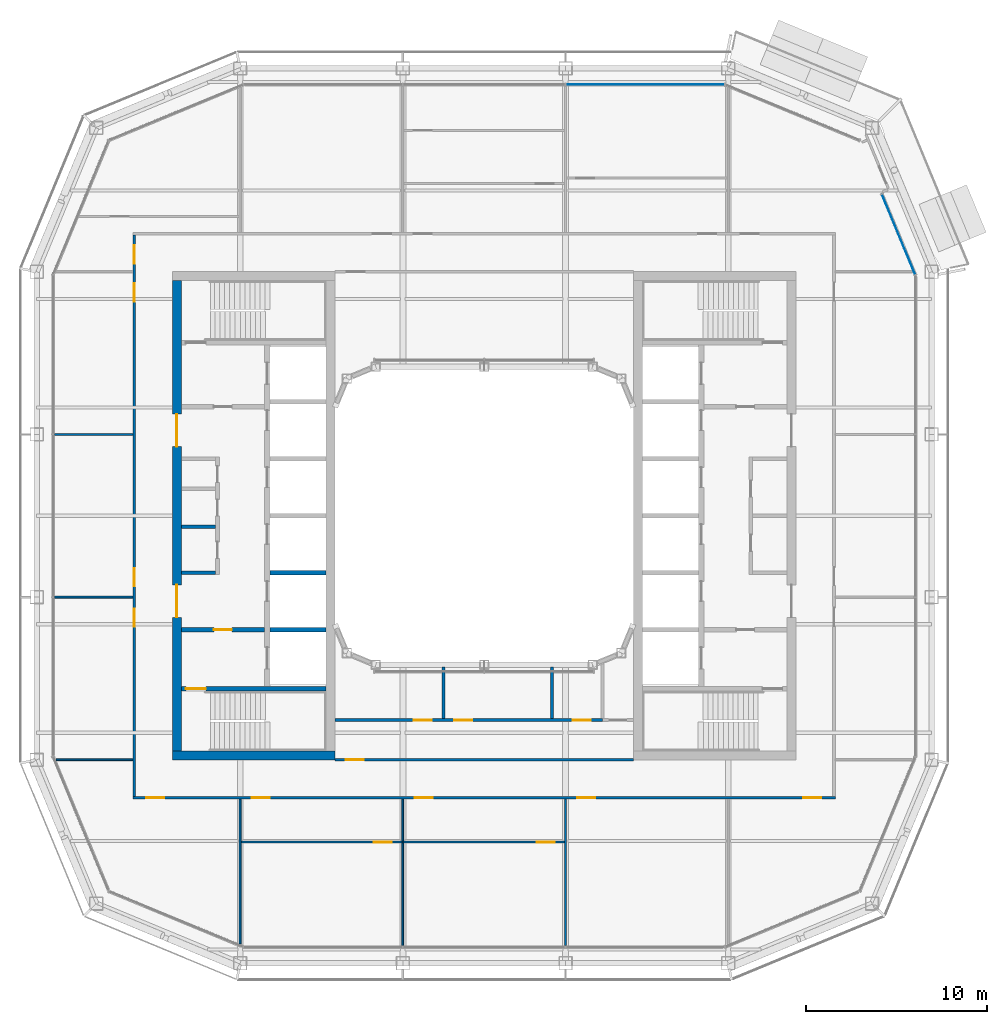
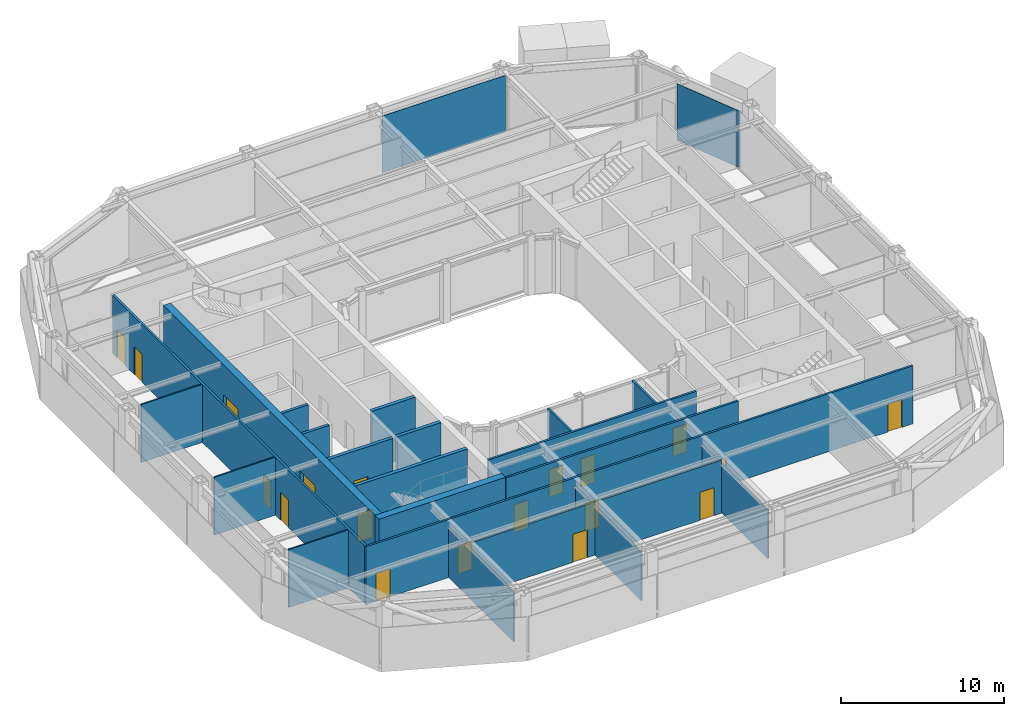
# One storey, part 10 of 20: 22 walls, 19 doors, 2 plates, 19 openings, 2 elements without a shape of their own.
"""IFC4 building model written with IfcOpenShell, lengths in metres."""

from ifc_helpers import new_model, si_unit, direction, frame, frame_2d, origin, origin_2d, place, context, subcontext, project, spatial, rectangle, extrude, material, layer, layer_set, type_object, element, fill, aggregate, save


model = new_model("IFC4")

# Units and contexts
model_context = context("Model", 3, precision=1e-05, world=origin(), true_north=direction((0.0, 1.0)))
body_context = subcontext(model_context, "Body", "Model", "MODEL_VIEW")
ifc_project = project(units=[si_unit("LENGTHUNIT", "METRE"), si_unit("AREAUNIT", "SQUARE_METRE"), si_unit("VOLUMEUNIT", "CUBIC_METRE"), si_unit("PLANEANGLEUNIT", "RADIAN"), si_unit("MASSUNIT", "GRAM", prefix="KILO")], contexts=[model_context])

# Site, building, storey
site_placement = place(None, origin())
site = spatial("IfcSite", under=ifc_project, at=site_placement, CompositionType="ELEMENT")
building_placement = place(site_placement, origin())
building = spatial("IfcBuilding", under=site, at=building_placement, Name="Siwar Civic Tower", CompositionType="ELEMENT")
storey_placement = place(building_placement, frame((0.0, 0.0, 307.699951171875)))
storey = spatial("IfcBuildingStorey", under=building, at=storey_placement, Name="L66", CompositionType="ELEMENT", Elevation=307.699951171875)

# Curtain wall, plate
ifc_material_1 = material(Name="Aluminium and glass", Category="aluminium")
ifc_layer_1 = layer(ifc_material_1, 0.159912109375)
ifc_layer_set_1 = layer_set([ifc_layer_1], Name="Aluminium and glass")
curtain_wall_type_1 = type_object("IfcCurtainWallType", Name="ENV-CW-D", PredefinedType="NOTDEFINED", material=ifc_layer_set_1)
curtain_wall_1_placement = place(storey_placement, origin())
curtain_wall_1 = element("IfcCurtainWall", 1, at=curtain_wall_1_placement, inside=storey, type_object=curtain_wall_type_1, Name="Curtain wall D N", PredefinedType="NOTDEFINED")
ifc_material_2 = material(Name="Glass clear laminated", Category="glass")
ifc_layer_2 = layer(ifc_material_2, 0.030029296875)
ifc_layer_set_2 = layer_set([ifc_layer_2], Name="Glass clear laminated")
plate_type_1 = type_object("IfcPlateType", Name="ENV-PANEL-D", PredefinedType="CURTAIN_PANEL", material=ifc_layer_set_2)
plate_1_placement = place(storey_placement, frame((8.910400390625, 23.85009765625, 0.10009765625), z_axis=(0.0, 0.0, 1.0), x_axis=(-1.0, 0.0, 0.0)))
plate_1 = element("IfcPlate", 2, at=plate_1_placement, type_object=plate_type_1, Name="Curtain panel D N 1", PredefinedType="CURTAIN_PANEL", context=body_context, shape_type="SweptSolid", body=[
    extrude(rectangle(XDim=8.760986328125, YDim=0.030029296875, at=origin_2d()), origin(), (0.0, 0.0, 1.0), 4.25),
])
aggregate(curtain_wall_1, [plate_1])

ifc_material_3 = material(Name="Aluminium clad insulated panel", Category="aluminium")
ifc_layer_3 = layer(ifc_material_3, 0.159912109375)
ifc_layer_set_3 = layer_set([ifc_layer_3], Name="Aluminium clad insulated panel")
curtain_wall_type_2 = type_object("IfcCurtainWallType", Name="ENV-CW-DX", PredefinedType="NOTDEFINED", material=ifc_layer_set_3)
curtain_wall_2_placement = place(storey_placement, origin())
curtain_wall_2 = element("IfcCurtainWall", 3, at=curtain_wall_2_placement, inside=storey, type_object=curtain_wall_type_2, Name="Curtain wall D NE1", PredefinedType="NOTDEFINED")
ifc_material_4 = material(Name="Aluminium clad insulated panel", Category="aluminium")
ifc_layer_4 = layer(ifc_material_4, 0.030029296875)
ifc_layer_set_4 = layer_set([ifc_layer_4], Name="Aluminium clad insulated panel")
plate_type_2 = type_object("IfcPlateType", Name="ENV-PANEL-DX", PredefinedType="CURTAIN_PANEL", material=ifc_layer_set_4)
plate_2_placement = place(storey_placement, frame((22.922607421875, 15.56005859375, 0.10009765625), z_axis=(0.0, 0.0, 1.0), x_axis=(-0.382683432365, 0.923879532511, 0.0)))
plate_2 = element("IfcPlate", 4, at=plate_2_placement, type_object=plate_type_2, Name="Curtain panel D NE1 1", PredefinedType="CURTAIN_PANEL", context=body_context, shape_type="SweptSolid", body=[
    extrude(rectangle(XDim=4.787109375, YDim=0.030029296875, at=origin_2d()), origin(), (0.0, 0.0, 1.0), 4.25),
])
aggregate(curtain_wall_2, [plate_2])

# Walls
ifc_material_5 = material(Name="Gypsum board on steel studs", Category="steel")
ifc_layer_5 = layer(ifc_material_5, 0.199951171875)
ifc_layer_set_5 = layer_set([ifc_layer_5], Name="Gypsum board on steel studs")
wall_type_1 = type_object("IfcWallType", Name="CORE-PARTITION-200", PredefinedType="PARTITIONING", material=ifc_layer_set_5)
for number, where, z_axis, x_axis, name in (
    (5, (-14.85009765625, -3.14990234375, 0.0), (0.0, 0.0, 1.0), (-1.0, 0.0, 0.0), "Core partition W"),
    (6, (-14.85009765625, -0.60009765625, 0.0), (0.0, 0.0, 1.0), (-1.0, 0.0, 0.0), "Core partition W"),
):
    element("IfcWall", number, at=place(storey_placement, frame(where, z_axis=z_axis, x_axis=x_axis)), inside=storey, type_object=wall_type_1, Name=name, PredefinedType="PARTITIONING", context=body_context, shape_type="SweptSolid", body=[
        extrude(rectangle(XDim=1.89990234375, YDim=0.199951171875, at=frame_2d((0.949951171875, 0.0))), origin(), (0.0, 0.0, 1.0), 4.35009765625),
    ])

# Wall, opening, door
ifc_material_6 = material(Name="Concrete C60/75", Category="concrete")
ifc_layer_6 = layer(ifc_material_6, 0.25)
ifc_layer_set_6 = layer_set([ifc_layer_6], Name="Concrete C60/75")
wall_type_2 = type_object("IfcWallType", Name="CORE-WALL-RC250", PredefinedType="SHEAR", material=ifc_layer_set_6)
wall_1_placement = place(storey_placement, frame((-12.14990234375, -6.300048828125, 0.0), z_axis=(0.0, 0.0, 1.0), x_axis=(-1.0, 0.0, 0.0)))
wall_1 = element("IfcWall", 7, at=wall_1_placement, inside=storey, type_object=wall_type_2, Name="Core wall W", PredefinedType="SHEAR", context=body_context, shape_type="SweptSolid", body=[
    extrude(rectangle(XDim=4.60009765625, YDim=0.25, at=frame_2d((2.300048828125, 0.0))), origin(), (0.0, 0.0, 1.0), 4.35009765625),
])
opening_1_placement = place(wall_1_placement, frame((1.800048828125, 0.0, 0.0)))
opening_1 = element("IfcOpeningElement", 8, at=opening_1_placement, cuts=wall_1, Name="Opening L66-CW02", PredefinedType="OPENING", context=body_context, shape_type="SweptSolid", body=[
    extrude(rectangle(XDim=1.0, YDim=2.10009765625, at=frame_2d((0.5, 1.050048828125))), frame((0.0, 0.135009765625, 0.0), z_axis=(0.0, -1.0, 0.0), x_axis=(1.0, 0.0, 0.0)), (0.0, 0.0, 1.0), 0.27001953125),
])
ifc_material_7 = material(Name="Steel door leaf", Category="steel")
door_type_1 = type_object("IfcDoorType", Name="CORE-DOOR-FD30S", OperationType="SINGLE_SWING_LEFT", PredefinedType="DOOR", material=ifc_material_7)
door_1_placement = place(opening_1_placement, origin())
door_1 = element("IfcDoor", 9, at=door_1_placement, inside=storey, type_object=door_type_1, Name="Service lobby door L66-CW02", OperationType="SINGLE_SWING_RIGHT", OverallHeight=2.10009765625, OverallWidth=1.0, PredefinedType="DOOR", context=body_context, shape_type="SweptSolid", body=[
    extrude(rectangle(XDim=1.0, YDim=2.10009765625, at=frame_2d((0.5, 1.050048828125))), frame((0.0, 0.02490234375, 0.0), z_axis=(0.0, -1.0, 0.0), x_axis=(1.0, 0.0, 0.0)), (0.0, 0.0, 1.0), 0.050048828125),
])
fill(opening_1, door_1)

# Walls
for number, where, z_axis, x_axis, name in (
    (10, (-8.75, -3.14990234375, 0.0), (0.0, 0.0, 1.0), (-1.0, 0.0, 0.0), "Core wall W"),
    (11, (-8.75, -6.300048828125, 0.0), (0.0, 0.0, 1.0), (-1.0, 0.0, 0.0), "Core wall W"),
):
    element("IfcWall", number, at=place(storey_placement, frame(where, z_axis=z_axis, x_axis=x_axis)), inside=storey, type_object=wall_type_2, Name=name, PredefinedType="SHEAR", context=body_context, shape_type="SweptSolid", body=[
        extrude(rectangle(XDim=3.10009765625, YDim=0.25, at=frame_2d((1.550048828125, 0.0))), origin(), (0.0, 0.0, 1.0), 4.35009765625),
    ])

# Wall, opening, door
wall_2_placement = place(storey_placement, frame((-8.75, -9.574951171875, 0.0), z_axis=(0.0, 0.0, 1.0), x_axis=(-1.0, 0.0, 0.0)))
wall_2 = element("IfcWall", 12, at=wall_2_placement, inside=storey, type_object=wall_type_2, Name="Core wall W", PredefinedType="SHEAR", context=body_context, shape_type="SweptSolid", body=[
    extrude(rectangle(XDim=8.0, YDim=0.25, at=frame_2d((4.0, 0.0))), origin(), (0.0, 0.0, 1.0), 4.35009765625),
])
opening_2_placement = place(wall_2_placement, frame((6.64990234375, 0.0, 0.0)))
opening_2 = element("IfcOpeningElement", 13, at=opening_2_placement, cuts=wall_2, Name="Opening L66-CW04", PredefinedType="OPENING", context=body_context, shape_type="SweptSolid", body=[
    extrude(rectangle(XDim=1.10009765625, YDim=2.10009765625, at=frame_2d((0.550048828125, 1.050048828125))), frame((0.0, 0.135009765625, 0.0), z_axis=(0.0, -1.0, 0.0), x_axis=(1.0, 0.0, 0.0)), (0.0, 0.0, 1.0), 0.27001953125),
])
ifc_material_8 = material(Name="Steel door leaf", Category="steel")
door_type_2 = type_object("IfcDoorType", Name="CORE-DOOR-FD60S", OperationType="SINGLE_SWING_LEFT", PredefinedType="DOOR", material=ifc_material_8)
door_2_placement = place(opening_2_placement, origin())
door_2 = element("IfcDoor", 14, at=door_2_placement, inside=storey, type_object=door_type_2, Name="Stair door L66-CW04", OperationType="SINGLE_SWING_LEFT", OverallHeight=2.10009765625, OverallWidth=1.10009765625, PredefinedType="DOOR", context=body_context, shape_type="SweptSolid", body=[
    extrude(rectangle(XDim=1.10009765625, YDim=2.10009765625, at=frame_2d((0.550048828125, 1.050048828125))), frame((0.0, 0.02490234375, 0.0), z_axis=(0.0, -1.0, 0.0), x_axis=(1.0, 0.0, 0.0)), (0.0, 0.0, 1.0), 0.050048828125),
])
fill(opening_2, door_2)

# Wall, openings, doors
ifc_material_9 = material(Name="Concrete C60/75", Category="concrete")
ifc_layer_7 = layer(ifc_material_9, 0.5)
ifc_layer_set_7 = layer_set([ifc_layer_7], Name="Concrete C60/75")
wall_type_3 = type_object("IfcWallType", Name="CORE-WALL-RC500", PredefinedType="SHEAR", material=ifc_layer_set_7)
wall_3_placement = place(storey_placement, frame((-17.0, -13.0, 0.0), z_axis=(0.0, 0.0, 1.0), x_axis=(0.0, 1.0, 0.0)))
wall_3 = element("IfcWall", 15, at=wall_3_placement, inside=storey, type_object=wall_type_3, Name="Core wall W", PredefinedType="SHEAR", context=body_context, shape_type="SweptSolid", body=[
    extrude(rectangle(XDim=26.0, YDim=0.5, at=frame_2d((13.0, 0.0))), origin(), (0.0, 0.0, 1.0), 4.35009765625),
])
opening_3_placement = place(wall_3_placement, frame((16.824951171875, 0.0, 0.0)))
opening_3 = element("IfcOpeningElement", 16, at=opening_3_placement, cuts=wall_3, Name="Opening L66-CW05", PredefinedType="OPENING", context=body_context, shape_type="SweptSolid", body=[
    extrude(rectangle(XDim=1.800048828125, YDim=2.10009765625, at=frame_2d((0.89990234375, 1.050048828125))), frame((0.0, 0.260009765625, 0.0), z_axis=(0.0, -1.0, 0.0), x_axis=(1.0, 0.0, 0.0)), (0.0, 0.0, 1.0), 0.52001953125),
])
opening_4_placement = place(wall_3_placement, frame((7.375, 0.0, 0.0)))
opening_4 = element("IfcOpeningElement", 17, at=opening_4_placement, cuts=wall_3, Name="Opening L66-CW06", PredefinedType="OPENING", context=body_context, shape_type="SweptSolid", body=[
    extrude(rectangle(XDim=1.800048828125, YDim=2.10009765625, at=frame_2d((0.89990234375, 1.050048828125))), frame((0.0, 0.260009765625, 0.0), z_axis=(0.0, -1.0, 0.0), x_axis=(1.0, 0.0, 0.0)), (0.0, 0.0, 1.0), 0.52001953125),
])
ifc_material_10 = material(Name="Steel door leaf", Category="steel")
door_type_3 = type_object("IfcDoorType", Name="CORE-DOOR-PORT", OperationType="DOUBLE_DOOR_DOUBLE_SWING", PredefinedType="DOOR", material=ifc_material_10)
door_3_placement = place(opening_3_placement, origin())
door_3 = element("IfcDoor", 18, at=door_3_placement, inside=storey, type_object=door_type_3, Name="Core entrance door L66-CW05", OperationType="DOUBLE_DOOR_DOUBLE_SWING", OverallHeight=2.10009765625, OverallWidth=1.800048828125, PredefinedType="DOOR", context=body_context, shape_type="SweptSolid", body=[
    extrude(rectangle(XDim=1.800048828125, YDim=2.10009765625, at=frame_2d((0.89990234375, 1.050048828125))), frame((0.0, 0.02490234375, 0.0), z_axis=(0.0, -1.0, 0.0), x_axis=(1.0, 0.0, 0.0)), (0.0, 0.0, 1.0), 0.050048828125),
])
fill(opening_3, door_3)
door_4_placement = place(opening_4_placement, origin())
door_4 = element("IfcDoor", 19, at=door_4_placement, inside=storey, type_object=door_type_3, Name="Core entrance door L66-CW06", OperationType="DOUBLE_DOOR_DOUBLE_SWING", OverallHeight=2.10009765625, OverallWidth=1.800048828125, PredefinedType="DOOR", context=body_context, shape_type="SweptSolid", body=[
    extrude(rectangle(XDim=1.800048828125, YDim=2.10009765625, at=frame_2d((0.89990234375, 1.050048828125))), frame((0.0, 0.02490234375, 0.0), z_axis=(0.0, -1.0, 0.0), x_axis=(1.0, 0.0, 0.0)), (0.0, 0.0, 1.0), 0.050048828125),
])
fill(opening_4, door_4)

# Wall
wall_4_placement = place(storey_placement, frame((-8.25, -13.25, 0.0), z_axis=(0.0, 0.0, 1.0), x_axis=(-1.0, 0.0, 0.0)))
element("IfcWall", 20, at=wall_4_placement, inside=storey, type_object=wall_type_3, Name="Core wall W", PredefinedType="SHEAR", context=body_context, shape_type="SweptSolid", body=[
    extrude(rectangle(XDim=9.0, YDim=0.5, at=frame_2d((4.5, 0.0))), origin(), (0.0, 0.0, 1.0), 4.35009765625),
])

# Wall, openings, doors
ifc_material_11 = material(Name="Gypsum board on steel studs", Category="steel")
ifc_layer_8 = layer(ifc_material_11, 0.14990234375)
ifc_layer_set_8 = layer_set([ifc_layer_8], Name="Gypsum board on steel studs")
wall_type_4 = type_object("IfcWallType", Name="CORRIDOR PARTITION 150 EI 30", PredefinedType="PARTITIONING", material=ifc_layer_set_8)
wall_5_placement = place(storey_placement, frame((-19.425048828125, -15.60009765625, 0.0), z_axis=(0.0, 0.0, 1.0), x_axis=(1.0, 0.0, 0.0)))
wall_5 = element("IfcWall", 21, at=wall_5_placement, inside=storey, type_object=wall_type_4, Name="L66/wall/P02", PredefinedType="PARTITIONING", context=body_context, shape_type="SweptSolid", body=[
    extrude(rectangle(XDim=38.85009765625, YDim=0.14990234375, at=frame_2d((19.425048828125, 0.0))), origin(), (0.0, 0.0, 1.0), 4.35009765625),
])
opening_5_placement = place(wall_5_placement, frame((6.574951171875, 0.0, 0.0)))
opening_5 = element("IfcOpeningElement", 22, at=opening_5_placement, cuts=wall_5, Name="Opening D1", PredefinedType="OPENING", context=body_context, shape_type="SweptSolid", body=[
    extrude(rectangle(XDim=1.0, YDim=2.10009765625, at=frame_2d((0.5, 1.050048828125))), frame((0.0, 0.0849609375, 0.0), z_axis=(0.0, -1.0, 0.0), x_axis=(1.0, 0.0, 0.0)), (0.0, 0.0, 1.0), 0.169921875),
])
opening_6_placement = place(wall_5_placement, frame((15.574951171875, 0.0, 0.0)))
opening_6 = element("IfcOpeningElement", 23, at=opening_6_placement, cuts=wall_5, Name="Opening D1", PredefinedType="OPENING", context=body_context, shape_type="SweptSolid", body=[
    extrude(rectangle(XDim=1.0, YDim=2.10009765625, at=frame_2d((0.5, 1.050048828125))), frame((0.0, 0.0849609375, 0.0), z_axis=(0.0, -1.0, 0.0), x_axis=(1.0, 0.0, 0.0)), (0.0, 0.0, 1.0), 0.169921875),
])
opening_7_placement = place(wall_5_placement, frame((24.574951171875, 0.0, 0.0)))
opening_7 = element("IfcOpeningElement", 24, at=opening_7_placement, cuts=wall_5, Name="Opening D1", PredefinedType="OPENING", context=body_context, shape_type="SweptSolid", body=[
    extrude(rectangle(XDim=1.0, YDim=2.10009765625, at=frame_2d((0.5, 1.050048828125))), frame((0.0, 0.0849609375, 0.0), z_axis=(0.0, -1.0, 0.0), x_axis=(1.0, 0.0, 0.0)), (0.0, 0.0, 1.0), 0.169921875),
])
opening_8_placement = place(wall_5_placement, frame((0.72509765625, 0.0, 0.0)))
opening_8 = element("IfcOpeningElement", 25, at=opening_8_placement, cuts=wall_5, Name="Opening D1", PredefinedType="OPENING", context=body_context, shape_type="SweptSolid", body=[
    extrude(rectangle(XDim=1.0, YDim=2.10009765625, at=frame_2d((0.5, 1.050048828125))), frame((0.0, 0.0849609375, 0.0), z_axis=(0.0, -1.0, 0.0), x_axis=(1.0, 0.0, 0.0)), (0.0, 0.0, 1.0), 0.169921875),
])
opening_9_placement = place(wall_5_placement, frame((37.074951171875, 0.0, 0.0)))
opening_9 = element("IfcOpeningElement", 26, at=opening_9_placement, cuts=wall_5, Name="Opening D1", PredefinedType="OPENING", context=body_context, shape_type="SweptSolid", body=[
    extrude(rectangle(XDim=1.0, YDim=2.10009765625, at=frame_2d((0.5, 1.050048828125))), frame((0.0, 0.0849609375, 0.0), z_axis=(0.0, -1.0, 0.0), x_axis=(1.0, 0.0, 0.0)), (0.0, 0.0, 1.0), 0.169921875),
])
ifc_material_12 = material(Name="Timber, painted", Category="wood")
door_type_4 = type_object("IfcDoorType", Name="DOOR 1000 X 2100 FD30", OperationType="SINGLE_SWING_LEFT", PredefinedType="DOOR", material=ifc_material_12)
door_5_placement = place(opening_5_placement, origin())
door_5 = element("IfcDoor", 27, at=door_5_placement, inside=storey, type_object=door_type_4, Name="L66-D07", OperationType="SINGLE_SWING_LEFT", OverallHeight=2.10009765625, OverallWidth=1.0, PredefinedType="DOOR", context=body_context, shape_type="SweptSolid", body=[
    extrude(rectangle(XDim=1.0, YDim=2.10009765625, at=frame_2d((0.5, 1.050048828125))), frame((0.0, 0.02490234375, 0.0), z_axis=(0.0, -1.0, 0.0), x_axis=(1.0, 0.0, 0.0)), (0.0, 0.0, 1.0), 0.050048828125),
])
fill(opening_5, door_5)
door_6_placement = place(opening_6_placement, origin())
door_6 = element("IfcDoor", 28, at=door_6_placement, inside=storey, type_object=door_type_4, Name="L66-D09", OperationType="SINGLE_SWING_LEFT", OverallHeight=2.10009765625, OverallWidth=1.0, PredefinedType="DOOR", context=body_context, shape_type="SweptSolid", body=[
    extrude(rectangle(XDim=1.0, YDim=2.10009765625, at=frame_2d((0.5, 1.050048828125))), frame((0.0, 0.02490234375, 0.0), z_axis=(0.0, -1.0, 0.0), x_axis=(1.0, 0.0, 0.0)), (0.0, 0.0, 1.0), 0.050048828125),
])
fill(opening_6, door_6)
door_7_placement = place(opening_7_placement, origin())
door_7 = element("IfcDoor", 29, at=door_7_placement, inside=storey, type_object=door_type_4, Name="L66-D11", OperationType="SINGLE_SWING_LEFT", OverallHeight=2.10009765625, OverallWidth=1.0, PredefinedType="DOOR", context=body_context, shape_type="SweptSolid", body=[
    extrude(rectangle(XDim=1.0, YDim=2.10009765625, at=frame_2d((0.5, 1.050048828125))), frame((0.0, 0.02490234375, 0.0), z_axis=(0.0, -1.0, 0.0), x_axis=(1.0, 0.0, 0.0)), (0.0, 0.0, 1.0), 0.050048828125),
])
fill(opening_7, door_7)
door_8_placement = place(opening_8_placement, origin())
door_8 = element("IfcDoor", 30, at=door_8_placement, inside=storey, type_object=door_type_4, Name="L66-D15", OperationType="SINGLE_SWING_LEFT", OverallHeight=2.10009765625, OverallWidth=1.0, PredefinedType="DOOR", context=body_context, shape_type="SweptSolid", body=[
    extrude(rectangle(XDim=1.0, YDim=2.10009765625, at=frame_2d((0.5, 1.050048828125))), frame((0.0, 0.02490234375, 0.0), z_axis=(0.0, -1.0, 0.0), x_axis=(1.0, 0.0, 0.0)), (0.0, 0.0, 1.0), 0.050048828125),
])
fill(opening_8, door_8)
door_9_placement = place(opening_9_placement, origin())
door_9 = element("IfcDoor", 31, at=door_9_placement, inside=storey, type_object=door_type_4, Name="L66-D16", OperationType="SINGLE_SWING_RIGHT", OverallHeight=2.10009765625, OverallWidth=1.0, PredefinedType="DOOR", context=body_context, shape_type="SweptSolid", body=[
    extrude(rectangle(XDim=1.0, YDim=2.10009765625, at=frame_2d((0.5, 1.050048828125))), frame((0.0, 0.02490234375, 0.0), z_axis=(0.0, -1.0, 0.0), x_axis=(1.0, 0.0, 0.0)), (0.0, 0.0, 1.0), 0.050048828125),
])
fill(opening_9, door_9)

# Wall, opening, door
wall_6_placement = place(storey_placement, frame((-8.25, -13.5, 0.0), z_axis=(0.0, 0.0, 1.0), x_axis=(1.0, 0.0, 0.0)))
wall_6 = element("IfcWall", 32, at=wall_6_placement, inside=storey, type_object=wall_type_4, Name="L66/wall/P05", PredefinedType="PARTITIONING", context=body_context, shape_type="SweptSolid", body=[
    extrude(rectangle(XDim=16.5, YDim=0.14990234375, at=frame_2d((8.25, 0.0))), origin(), (0.0, 0.0, 1.0), 4.35009765625),
])
opening_10_placement = place(wall_6_placement, frame((0.60009765625, 0.0, 0.0)))
opening_10 = element("IfcOpeningElement", 33, at=opening_10_placement, cuts=wall_6, Name="Opening D1", PredefinedType="OPENING", context=body_context, shape_type="SweptSolid", body=[
    extrude(rectangle(XDim=1.0, YDim=2.10009765625, at=frame_2d((0.5, 1.050048828125))), frame((0.0, 0.0849609375, 0.0), z_axis=(0.0, -1.0, 0.0), x_axis=(1.0, 0.0, 0.0)), (0.0, 0.0, 1.0), 0.169921875),
])
door_10_placement = place(opening_10_placement, origin())
door_10 = element("IfcDoor", 34, at=door_10_placement, inside=storey, type_object=door_type_4, Name="L66-D24", OperationType="SINGLE_SWING_RIGHT", OverallHeight=2.10009765625, OverallWidth=1.0, PredefinedType="DOOR", context=body_context, shape_type="SweptSolid", body=[
    extrude(rectangle(XDim=1.0, YDim=2.10009765625, at=frame_2d((0.5, 1.050048828125))), frame((0.0, 0.02490234375, 0.0), z_axis=(0.0, -1.0, 0.0), x_axis=(1.0, 0.0, 0.0)), (0.0, 0.0, 1.0), 0.050048828125),
])
fill(opening_10, door_10)

# Wall, openings, doors
wall_7_placement = place(storey_placement, frame((-8.25, -11.300048828125, 0.0), z_axis=(0.0, 0.0, 1.0), x_axis=(1.0, 0.0, 0.0)))
wall_7 = element("IfcWall", 35, at=wall_7_placement, inside=storey, type_object=wall_type_4, Name="L66/wall/P06", PredefinedType="PARTITIONING", context=body_context, shape_type="SweptSolid", body=[
    extrude(rectangle(XDim=14.7900390625, YDim=0.14990234375, at=frame_2d((7.39501953125, 0.0))), origin(), (0.0, 0.0, 1.0), 4.35009765625),
])
opening_11_placement = place(wall_7_placement, frame((4.35009765625, 0.0, 0.0)))
opening_11 = element("IfcOpeningElement", 36, at=opening_11_placement, cuts=wall_7, Name="Opening D3", PredefinedType="OPENING", context=body_context, shape_type="SweptSolid", body=[
    extrude(rectangle(XDim=1.0, YDim=2.10009765625, at=frame_2d((0.5, 1.050048828125))), frame((0.0, 0.0849609375, 0.0), z_axis=(0.0, -1.0, 0.0), x_axis=(1.0, 0.0, 0.0)), (0.0, 0.0, 1.0), 0.169921875),
])
opening_12_placement = place(wall_7_placement, frame((6.60009765625, 0.0, 0.0)))
opening_12 = element("IfcOpeningElement", 37, at=opening_12_placement, cuts=wall_7, Name="Opening D3", PredefinedType="OPENING", context=body_context, shape_type="SweptSolid", body=[
    extrude(rectangle(XDim=1.0, YDim=2.10009765625, at=frame_2d((0.5, 1.050048828125))), frame((0.0, 0.0849609375, 0.0), z_axis=(0.0, -1.0, 0.0), x_axis=(1.0, 0.0, 0.0)), (0.0, 0.0, 1.0), 0.169921875),
])
opening_13_placement = place(wall_7_placement, frame((13.139892578125, 0.0, 0.0)))
opening_13 = element("IfcOpeningElement", 38, at=opening_13_placement, cuts=wall_7, Name="Opening D3", PredefinedType="OPENING", context=body_context, shape_type="SweptSolid", body=[
    extrude(rectangle(XDim=1.0, YDim=2.10009765625, at=frame_2d((0.5, 1.050048828125))), frame((0.0, 0.0849609375, 0.0), z_axis=(0.0, -1.0, 0.0), x_axis=(1.0, 0.0, 0.0)), (0.0, 0.0, 1.0), 0.169921875),
])
ifc_material_13 = material(Name="Timber, painted", Category="wood")
door_type_5 = type_object("IfcDoorType", Name="DOOR 1000 X 2100 WC", OperationType="SINGLE_SWING_LEFT", PredefinedType="DOOR", material=ifc_material_13)
door_11_placement = place(opening_11_placement, origin())
door_11 = element("IfcDoor", 39, at=door_11_placement, inside=storey, type_object=door_type_5, Name="L66-D25", OperationType="SINGLE_SWING_LEFT", OverallHeight=2.10009765625, OverallWidth=1.0, PredefinedType="DOOR", context=body_context, shape_type="SweptSolid", body=[
    extrude(rectangle(XDim=1.0, YDim=2.10009765625, at=frame_2d((0.5, 1.050048828125))), frame((0.0, 0.02490234375, 0.0), z_axis=(0.0, -1.0, 0.0), x_axis=(1.0, 0.0, 0.0)), (0.0, 0.0, 1.0), 0.050048828125),
])
fill(opening_11, door_11)
door_12_placement = place(opening_12_placement, origin())
door_12 = element("IfcDoor", 40, at=door_12_placement, inside=storey, type_object=door_type_5, Name="L66-D26", OperationType="SINGLE_SWING_RIGHT", OverallHeight=2.10009765625, OverallWidth=1.0, PredefinedType="DOOR", context=body_context, shape_type="SweptSolid", body=[
    extrude(rectangle(XDim=1.0, YDim=2.10009765625, at=frame_2d((0.5, 1.050048828125))), frame((0.0, 0.02490234375, 0.0), z_axis=(0.0, -1.0, 0.0), x_axis=(1.0, 0.0, 0.0)), (0.0, 0.0, 1.0), 0.050048828125),
])
fill(opening_12, door_12)
door_13_placement = place(opening_13_placement, origin())
door_13 = element("IfcDoor", 41, at=door_13_placement, inside=storey, type_object=door_type_5, Name="L66-D27", OperationType="SINGLE_SWING_LEFT", OverallHeight=2.10009765625, OverallWidth=1.0, PredefinedType="DOOR", context=body_context, shape_type="SweptSolid", body=[
    extrude(rectangle(XDim=1.0, YDim=2.10009765625, at=frame_2d((0.5, 1.050048828125))), frame((0.0, 0.02490234375, 0.0), z_axis=(0.0, -1.0, 0.0), x_axis=(1.0, 0.0, 0.0)), (0.0, 0.0, 1.0), 0.050048828125),
])
fill(opening_13, door_13)

wall_8_placement = place(storey_placement, frame((-19.35009765625, -15.52490234375, 0.0), z_axis=(0.0, 0.0, 1.0), x_axis=(0.0, 1.0, 0.0)))
wall_8 = element("IfcWall", 42, at=wall_8_placement, inside=storey, type_object=wall_type_4, Name="L66/wall/P20", PredefinedType="PARTITIONING", context=body_context, shape_type="SweptSolid", body=[
    extrude(rectangle(XDim=31.0498046875, YDim=0.14990234375, at=frame_2d((15.52490234375, 0.0))), origin(), (0.0, 0.0, 1.0), 4.35009765625),
])
opening_14_placement = place(wall_8_placement, frame((29.47509765625, 0.0, 0.0)))
opening_14 = element("IfcOpeningElement", 43, at=opening_14_placement, cuts=wall_8, Name="Opening D1", PredefinedType="OPENING", context=body_context, shape_type="SweptSolid", body=[
    extrude(rectangle(XDim=1.0, YDim=2.10009765625, at=frame_2d((0.5, 1.050048828125))), frame((0.0, 0.0849609375, 0.0), z_axis=(0.0, -1.0, 0.0), x_axis=(1.0, 0.0, 0.0)), (0.0, 0.0, 1.0), 0.169921875),
])
opening_15_placement = place(wall_8_placement, frame((9.375, 0.0, 0.0)))
opening_15 = element("IfcOpeningElement", 44, at=opening_15_placement, cuts=wall_8, Name="Opening D1", PredefinedType="OPENING", context=body_context, shape_type="SweptSolid", body=[
    extrude(rectangle(XDim=1.0, YDim=2.10009765625, at=frame_2d((0.5, 1.050048828125))), frame((0.0, 0.0849609375, 0.0), z_axis=(0.0, -1.0, 0.0), x_axis=(1.0, 0.0, 0.0)), (0.0, 0.0, 1.0), 0.169921875),
])
opening_16_placement = place(wall_8_placement, frame((11.625, 0.0, 0.0)))
opening_16 = element("IfcOpeningElement", 45, at=opening_16_placement, cuts=wall_8, Name="Opening D1", PredefinedType="OPENING", context=body_context, shape_type="SweptSolid", body=[
    extrude(rectangle(XDim=1.0, YDim=2.10009765625, at=frame_2d((0.5, 1.050048828125))), frame((0.0, 0.0849609375, 0.0), z_axis=(0.0, -1.0, 0.0), x_axis=(1.0, 0.0, 0.0)), (0.0, 0.0, 1.0), 0.169921875),
])
opening_17_placement = place(wall_8_placement, frame((27.375, 0.0, 0.0)))
opening_17 = element("IfcOpeningElement", 46, at=opening_17_placement, cuts=wall_8, Name="Opening D1", PredefinedType="OPENING", context=body_context, shape_type="SweptSolid", body=[
    extrude(rectangle(XDim=1.0, YDim=2.10009765625, at=frame_2d((0.5, 1.050048828125))), frame((0.0, 0.0849609375, 0.0), z_axis=(0.0, -1.0, 0.0), x_axis=(1.0, 0.0, 0.0)), (0.0, 0.0, 1.0), 0.169921875),
])
door_14_placement = place(opening_14_placement, origin())
door_14 = element("IfcDoor", 47, at=door_14_placement, inside=storey, type_object=door_type_4, Name="L66-D12", OperationType="SINGLE_SWING_RIGHT", OverallHeight=2.10009765625, OverallWidth=1.0, PredefinedType="DOOR", context=body_context, shape_type="SweptSolid", body=[
    extrude(rectangle(XDim=1.0, YDim=2.10009765625, at=frame_2d((0.5, 1.050048828125))), frame((0.0, 0.02490234375, 0.0), z_axis=(0.0, -1.0, 0.0), x_axis=(1.0, 0.0, 0.0)), (0.0, 0.0, 1.0), 0.050048828125),
])
fill(opening_14, door_14)
door_15_placement = place(opening_15_placement, origin())
door_15 = element("IfcDoor", 48, at=door_15_placement, inside=storey, type_object=door_type_4, Name="L66-D17", OperationType="SINGLE_SWING_LEFT", OverallHeight=2.10009765625, OverallWidth=1.0, PredefinedType="DOOR", context=body_context, shape_type="SweptSolid", body=[
    extrude(rectangle(XDim=1.0, YDim=2.10009765625, at=frame_2d((0.5, 1.050048828125))), frame((0.0, 0.02490234375, 0.0), z_axis=(0.0, -1.0, 0.0), x_axis=(1.0, 0.0, 0.0)), (0.0, 0.0, 1.0), 0.050048828125),
])
fill(opening_15, door_15)
door_16_placement = place(opening_16_placement, origin())
door_16 = element("IfcDoor", 49, at=door_16_placement, inside=storey, type_object=door_type_4, Name="L66-D18", OperationType="SINGLE_SWING_RIGHT", OverallHeight=2.10009765625, OverallWidth=1.0, PredefinedType="DOOR", context=body_context, shape_type="SweptSolid", body=[
    extrude(rectangle(XDim=1.0, YDim=2.10009765625, at=frame_2d((0.5, 1.050048828125))), frame((0.0, 0.02490234375, 0.0), z_axis=(0.0, -1.0, 0.0), x_axis=(1.0, 0.0, 0.0)), (0.0, 0.0, 1.0), 0.050048828125),
])
fill(opening_16, door_16)
door_17_placement = place(opening_17_placement, origin())
door_17 = element("IfcDoor", 50, at=door_17_placement, inside=storey, type_object=door_type_4, Name="L66-D19", OperationType="SINGLE_SWING_LEFT", OverallHeight=2.10009765625, OverallWidth=1.0, PredefinedType="DOOR", context=body_context, shape_type="SweptSolid", body=[
    extrude(rectangle(XDim=1.0, YDim=2.10009765625, at=frame_2d((0.5, 1.050048828125))), frame((0.0, 0.02490234375, 0.0), z_axis=(0.0, -1.0, 0.0), x_axis=(1.0, 0.0, 0.0)), (0.0, 0.0, 1.0), 0.050048828125),
])
fill(opening_17, door_17)

# Walls
for number, where, z_axis, x_axis, name in (
    (51, (-2.25, -11.22509765625, 0.0), (0.0, 0.0, 1.0), (0.0, 1.0, 0.0), "L66/wall/P26"),
    (52, (3.75, -11.22509765625, 0.0), (0.0, 0.0, 1.0), (0.0, 1.0, 0.0), "L66/wall/P27"),
):
    element("IfcWall", number, at=place(storey_placement, frame(where, z_axis=z_axis, x_axis=x_axis)), inside=storey, type_object=wall_type_4, Name=name, PredefinedType="PARTITIONING", context=body_context, shape_type="SweptSolid", body=[
        extrude(rectangle(XDim=2.85498046875, YDim=0.14990234375, at=frame_2d((1.427490234375, 0.0))), origin(), (0.0, 0.0, 1.0), 4.35009765625),
    ])

# Wall, openings, doors
ifc_material_14 = material(Name="Gypsum board on steel studs", Category="steel")
ifc_layer_9 = layer(ifc_material_14, 0.10009765625)
ifc_layer_set_9 = layer_set([ifc_layer_9], Name="Gypsum board on steel studs")
wall_type_5 = type_object("IfcWallType", Name="PARTITION 100 GYPSUM", PredefinedType="PARTITIONING", material=ifc_layer_set_9)
wall_9_placement = place(storey_placement, frame((-13.449951171875, -18.048095703125, 0.0), z_axis=(0.0, 0.0, 1.0), x_axis=(1.0, 0.0, 0.0)))
wall_9 = element("IfcWall", 53, at=wall_9_placement, inside=storey, type_object=wall_type_5, Name="L66/wall/P01", PredefinedType="PARTITIONING", context=body_context, shape_type="SweptSolid", body=[
    extrude(rectangle(XDim=17.89990234375, YDim=0.10009765625, at=frame_2d((8.949951171875, 0.0))), origin(), (0.0, 0.0, 1.0), 3.989990234375),
])
opening_18_placement = place(wall_9_placement, frame((7.35009765625, 0.0, 0.0)))
opening_18 = element("IfcOpeningElement", 54, at=opening_18_placement, cuts=wall_9, Name="Opening D2", PredefinedType="OPENING", context=body_context, shape_type="SweptSolid", body=[
    extrude(rectangle(XDim=1.0, YDim=2.10009765625, at=frame_2d((0.5, 1.050048828125))), frame((0.0, 0.06005859375, 0.0), z_axis=(0.0, -1.0, 0.0), x_axis=(1.0, 0.0, 0.0)), (0.0, 0.0, 1.0), 0.1201171875),
])
opening_19_placement = place(wall_9_placement, frame((16.35009765625, 0.0, 0.0)))
opening_19 = element("IfcOpeningElement", 55, at=opening_19_placement, cuts=wall_9, Name="Opening D2", PredefinedType="OPENING", context=body_context, shape_type="SweptSolid", body=[
    extrude(rectangle(XDim=1.0, YDim=2.10009765625, at=frame_2d((0.5, 1.050048828125))), frame((0.0, 0.06005859375, 0.0), z_axis=(0.0, -1.0, 0.0), x_axis=(1.0, 0.0, 0.0)), (0.0, 0.0, 1.0), 0.1201171875),
])
ifc_material_15 = material(Name="Timber, painted", Category="wood")
door_type_6 = type_object("IfcDoorType", Name="DOOR 1000 X 2100", OperationType="SINGLE_SWING_LEFT", PredefinedType="DOOR", material=ifc_material_15)
door_18_placement = place(opening_18_placement, origin())
door_18 = element("IfcDoor", 56, at=door_18_placement, inside=storey, type_object=door_type_6, Name="L66-D08", OperationType="SINGLE_SWING_RIGHT", OverallHeight=2.10009765625, OverallWidth=1.0, PredefinedType="DOOR", context=body_context, shape_type="SweptSolid", body=[
    extrude(rectangle(XDim=1.0, YDim=2.10009765625, at=frame_2d((0.5, 1.050048828125))), frame((0.0, 0.02490234375, 0.0), z_axis=(0.0, -1.0, 0.0), x_axis=(1.0, 0.0, 0.0)), (0.0, 0.0, 1.0), 0.050048828125),
])
fill(opening_18, door_18)
door_19_placement = place(opening_19_placement, origin())
door_19 = element("IfcDoor", 57, at=door_19_placement, inside=storey, type_object=door_type_6, Name="L66-D10", OperationType="SINGLE_SWING_RIGHT", OverallHeight=2.10009765625, OverallWidth=1.0, PredefinedType="DOOR", context=body_context, shape_type="SweptSolid", body=[
    extrude(rectangle(XDim=1.0, YDim=2.10009765625, at=frame_2d((0.5, 1.050048828125))), frame((0.0, 0.02490234375, 0.0), z_axis=(0.0, -1.0, 0.0), x_axis=(1.0, 0.0, 0.0)), (0.0, 0.0, 1.0), 0.050048828125),
])
fill(opening_19, door_19)

# Walls
wall_10_placement = place(storey_placement, frame((-23.677978515625, -13.5, 0.0), z_axis=(0.0, 0.0, 1.0), x_axis=(1.0, 0.0, 0.0)))
element("IfcWall", 58, at=wall_10_placement, inside=storey, type_object=wall_type_5, Name="L66/wall/P03", PredefinedType="PARTITIONING", context=body_context, shape_type="SweptSolid", body=[
    extrude(rectangle(XDim=4.2529296875, YDim=0.10009765625, at=frame_2d((2.12646484375, 0.0))), origin(), (0.0, 0.0, 1.0), 4.35009765625),
])
for number, where, z_axis, x_axis, name in (
    (59, (-23.760009765625, -4.5, 0.0), (0.0, 0.0, 1.0), (1.0, 0.0, 0.0), "L66/wall/P08"),
    (60, (-23.760009765625, 4.5, 0.0), (0.0, 0.0, 1.0), (1.0, 0.0, 0.0), "L66/wall/P10"),
):
    element("IfcWall", number, at=place(storey_placement, frame(where, z_axis=z_axis, x_axis=x_axis)), inside=storey, type_object=wall_type_5, Name=name, PredefinedType="PARTITIONING", context=body_context, shape_type="SweptSolid", body=[
        extrude(rectangle(XDim=4.3349609375, YDim=0.10009765625, at=frame_2d((2.16748046875, 0.0))), origin(), (0.0, 0.0, 1.0), 4.35009765625),
    ])
wall_11_placement = place(storey_placement, frame((-13.5, -23.677978515625, 0.0), z_axis=(0.0, 0.0, 1.0), x_axis=(0.0, 1.0, 0.0)))
element("IfcWall", 61, at=wall_11_placement, inside=storey, type_object=wall_type_5, Name="L66/wall/P21", PredefinedType="PARTITIONING", context=body_context, shape_type="SweptSolid", body=[
    extrude(rectangle(XDim=8.0029296875, YDim=0.10009765625, at=frame_2d((4.00146484375, 0.0))), origin(), (0.0, 0.0, 1.0), 3.75),
])
wall_12_placement = place(storey_placement, frame((-4.5, -23.760009765625, 0.0), z_axis=(0.0, 0.0, 1.0), x_axis=(0.0, 1.0, 0.0)))
element("IfcWall", 62, at=wall_12_placement, inside=storey, type_object=wall_type_5, Name="L66/wall/P23", PredefinedType="PARTITIONING", context=body_context, shape_type="SweptSolid", body=[
    extrude(rectangle(XDim=5.662109375, YDim=0.10009765625, at=frame_2d((2.8310546875, 0.0))), origin(), (0.0, 0.0, 1.0), 3.650146484375),
])
wall_13_placement = place(storey_placement, frame((-4.5, -17.998046875, 0.0), z_axis=(0.0, 0.0, 1.0), x_axis=(0.0, 1.0, 0.0)))
element("IfcWall", 63, at=wall_13_placement, inside=storey, type_object=wall_type_5, Name="L66/wall/P24", PredefinedType="PARTITIONING", context=body_context, shape_type="SweptSolid", body=[
    extrude(rectangle(XDim=2.322998046875, YDim=0.10009765625, at=frame_2d((1.16162109375, 0.0))), origin(), (0.0, 0.0, 1.0), 3.650146484375),
])
wall_14_placement = place(storey_placement, frame((4.5, -23.760009765625, 0.0), z_axis=(0.0, 0.0, 1.0), x_axis=(0.0, 1.0, 0.0)))
element("IfcWall", 64, at=wall_14_placement, inside=storey, type_object=wall_type_5, Name="L66/wall/P28", PredefinedType="PARTITIONING", context=body_context, shape_type="SweptSolid", body=[
    extrude(rectangle(XDim=8.0849609375, YDim=0.10009765625, at=frame_2d((4.04248046875, 0.0))), origin(), (0.0, 0.0, 1.0), 3.650146484375),
])

save(model, "model.ifc")
